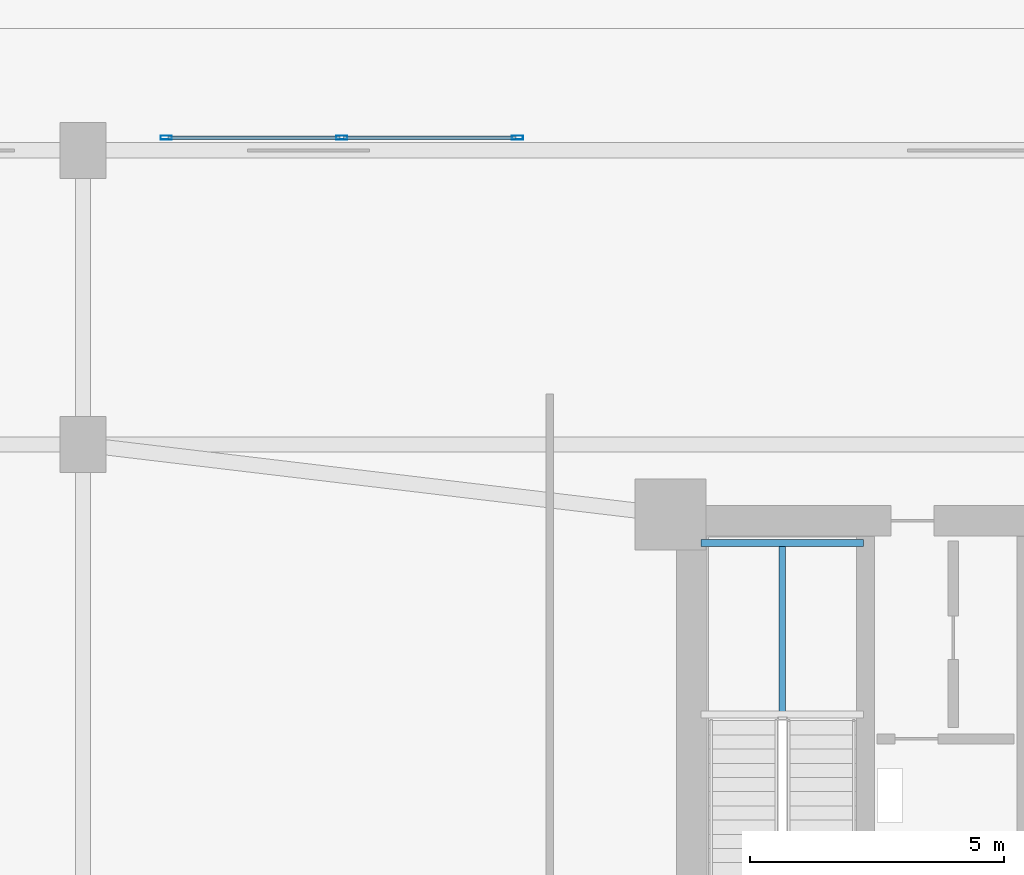
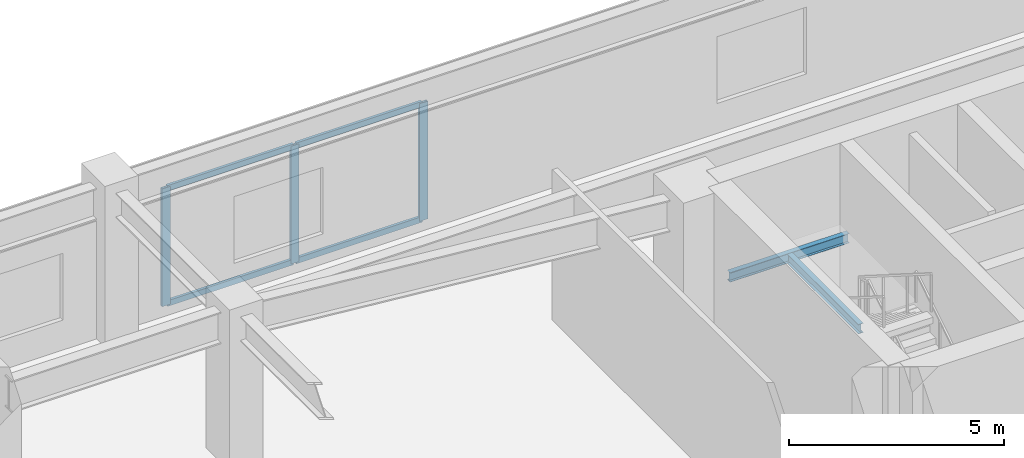
# One storey, part 2 of 10: 7 members, 2 beams, 1 element without a shape of its own.
"""IFC4 building model written with IfcOpenShell, lengths in metres."""

from ifc_helpers import new_model, si_unit, direction, frame, origin, origin_2d, place, context, subcontext, project, spatial, hollow_rectangle, i_section, extrude, material, layer, layer_set, material_profile, profile_set, type_object, element, aggregate, save


model = new_model("IFC4")

# Units and contexts
model_context = context("Model", 3, precision=1e-05, world=origin(), true_north=direction((0.0, 1.0)))
body_context = subcontext(model_context, "Body", "Model", "MODEL_VIEW")
ifc_project = project(units=[si_unit("LENGTHUNIT", "METRE"), si_unit("AREAUNIT", "SQUARE_METRE"), si_unit("VOLUMEUNIT", "CUBIC_METRE"), si_unit("PLANEANGLEUNIT", "RADIAN"), si_unit("MASSUNIT", "GRAM", prefix="KILO")], contexts=[model_context])

# Site, building, storey
site_placement = place(None, origin())
site = spatial("IfcSite", under=ifc_project, at=site_placement, CompositionType="ELEMENT")
building_placement = place(site_placement, origin())
building = spatial("IfcBuilding", under=site, at=building_placement, Name="Varnakorn Sky Granary", CompositionType="ELEMENT")
storey_placement = place(building_placement, frame((0.0, 0.0, 9.199951171875)))
storey = spatial("IfcBuildingStorey", under=building, at=storey_placement, Name="L02", CompositionType="ELEMENT", Elevation=9.199951171875)

# Beams
ifc_material_1 = material(Name="Steel S355JR", Category="steel")
ifc_material_profile_1 = material_profile(ifc_material_1, i_section(OverallWidth=0.135009765625, OverallDepth=0.27001953125, WebThickness=0.006591796875, FlangeThickness=0.01025390625, at=origin_2d()), Name="IPE 270")
ifc_profile_set_1 = profile_set([ifc_material_profile_1], Name="Steel S355JR")
beam_type = type_object("IfcBeamType", Name="BM-LND-270", PredefinedType="BEAM", material=ifc_profile_set_1)
beam_1_placement = place(storey_placement, frame((-1.820068359375, 12.06005859375, 1.965087890625), z_axis=(1.0, 0.0, 0.0), x_axis=(0.0, 1.0, 0.0)))
element("IfcBeam", 1, at=beam_1_placement, inside=storey, type_object=beam_type, Name="Stair ST-1 Landing Trimmer Beam B L02-1", PredefinedType="BEAM", context=body_context, shape_type="SweptSolid", body=[
    extrude(i_section(OverallWidth=0.135009765625, OverallDepth=0.27001953125, WebThickness=0.006591796875, FlangeThickness=0.01025390625, at=origin_2d()), origin(), (0.0, 0.0, 1.0), 3.199951171875),
])
beam_2_placement = place(storey_placement, frame((-0.219970703125, 8.679931640625, 1.965087890625), z_axis=(0.0, 1.0, 0.0), x_axis=(-1.0, 0.0, 0.0)))
element("IfcBeam", 2, at=beam_2_placement, inside=storey, type_object=beam_type, Name="Stair ST-1 Landing Cross Beam C L02-1", PredefinedType="BEAM", context=body_context, shape_type="SweptSolid", body=[
    extrude(i_section(OverallWidth=0.135009765625, OverallDepth=0.27001953125, WebThickness=0.006591796875, FlangeThickness=0.01025390625, at=origin_2d()), origin(), (0.0, 0.0, 1.0), 3.380126953125),
])

# Curtain wall, members
ifc_material_2 = material(Name="Anodised Bronze Aluminium Alloy 6063-T6", Category="aluminium")
ifc_layer = layer(ifc_material_2, 0.219970703125, Name="Anodised Bronze Aluminium Alloy 6063-T6")
ifc_layer_set = layer_set([ifc_layer], Name="Anodised Bronze Aluminium Alloy 6063-T6")
curtain_wall_type = type_object("IfcCurtainWallType", Name="CW-POD-1", PredefinedType="USERDEFINED", material=ifc_layer_set)
curtain_wall_placement = place(storey_placement, origin())
curtain_wall = element("IfcCurtainWall", 3, at=curtain_wall_placement, inside=storey, type_object=curtain_wall_type, Name="Unitised Curtain Wall CW1 CW-L02-P1", ObjectType="CURTAIN WALL", PredefinedType="USERDEFINED")
ifc_material_profile_2 = material_profile(ifc_material_2, hollow_rectangle(XDim=0.074951171875, YDim=0.219970703125, WallThickness=0.00390625, at=origin_2d()), Name="ALU MULL 75x220")
ifc_profile_set_2 = profile_set([ifc_material_profile_2], Name="Anodised Bronze Aluminium Alloy 6063-T6")
member_type_1 = type_object("IfcMemberType", Name="CW-POD-1-MULL", PredefinedType="MULLION", material=ifc_profile_set_2)
member_1_placement = place(storey_placement, frame((-12.362548828125, 20.050048828125, 0.0), z_axis=(0.0, 0.0, 1.0), x_axis=(0.0, 1.0, 0.0)))
member_1 = element("IfcMember", 4, at=member_1_placement, type_object=member_type_1, Name="CW1 mullion 1", PredefinedType="MULLION", context=body_context, shape_type="SweptSolid", body=[
    extrude(hollow_rectangle(XDim=0.074951171875, YDim=0.219970703125, WallThickness=0.00390625, at=origin_2d()), origin(), (0.0, 0.0, 1.0), 3.35009765625),
])
member_2_placement = place(storey_placement, frame((-8.89990234375, 20.050048828125, 0.0), z_axis=(0.0, 0.0, 1.0), x_axis=(0.0, 1.0, 0.0)))
member_2 = element("IfcMember", 5, at=member_2_placement, type_object=member_type_1, Name="CW1 mullion 2", PredefinedType="MULLION", context=body_context, shape_type="SweptSolid", body=[
    extrude(hollow_rectangle(XDim=0.074951171875, YDim=0.219970703125, WallThickness=0.00390625, at=origin_2d()), origin(), (0.0, 0.0, 1.0), 3.35009765625),
])
member_3_placement = place(storey_placement, frame((-5.4375, 20.050048828125, 0.0), z_axis=(0.0, 0.0, 1.0), x_axis=(0.0, 1.0, 0.0)))
member_3 = element("IfcMember", 6, at=member_3_placement, type_object=member_type_1, Name="CW1 mullion 3", PredefinedType="MULLION", context=body_context, shape_type="SweptSolid", body=[
    extrude(hollow_rectangle(XDim=0.074951171875, YDim=0.219970703125, WallThickness=0.00390625, at=origin_2d()), origin(), (0.0, 0.0, 1.0), 3.35009765625),
])
ifc_material_profile_3 = material_profile(ifc_material_2, hollow_rectangle(XDim=0.074951171875, YDim=0.159912109375, WallThickness=0.00390625, at=origin_2d()), Name="ALU TRAN 75x160")
ifc_profile_set_3 = profile_set([ifc_material_profile_3], Name="Anodised Bronze Aluminium Alloy 6063-T6")
member_type_2 = type_object("IfcMemberType", Name="CW-POD-1-TRAN", PredefinedType="USERDEFINED", material=ifc_profile_set_3)
member_4_placement = place(storey_placement, frame((-12.324951171875, 20.050048828125, 0.03759765625), z_axis=(1.0, 0.0, 0.0), x_axis=(0.0, 1.0, 0.0)))
member_4 = element("IfcMember", 7, at=member_4_placement, type_object=member_type_2, Name="CW1 transom 1.1", ObjectType="TRANSOM", PredefinedType="USERDEFINED", context=body_context, shape_type="SweptSolid", body=[
    extrude(hollow_rectangle(XDim=0.074951171875, YDim=0.159912109375, WallThickness=0.00390625, at=origin_2d()), origin(), (0.0, 0.0, 1.0), 3.387451171875),
])
member_5_placement = place(storey_placement, frame((-12.324951171875, 20.050048828125, 3.3125), z_axis=(1.0, 0.0, 0.0), x_axis=(0.0, 1.0, 0.0)))
member_5 = element("IfcMember", 8, at=member_5_placement, type_object=member_type_2, Name="CW1 transom 1.2", ObjectType="TRANSOM", PredefinedType="USERDEFINED", context=body_context, shape_type="SweptSolid", body=[
    extrude(hollow_rectangle(XDim=0.074951171875, YDim=0.159912109375, WallThickness=0.00390625, at=origin_2d()), origin(), (0.0, 0.0, 1.0), 3.387451171875),
])
member_6_placement = place(storey_placement, frame((-8.862548828125, 20.050048828125, 0.03759765625), z_axis=(1.0, 0.0, 0.0), x_axis=(0.0, 1.0, 0.0)))
member_6 = element("IfcMember", 9, at=member_6_placement, type_object=member_type_2, Name="CW1 transom 2.1", ObjectType="TRANSOM", PredefinedType="USERDEFINED", context=body_context, shape_type="SweptSolid", body=[
    extrude(hollow_rectangle(XDim=0.074951171875, YDim=0.159912109375, WallThickness=0.00390625, at=origin_2d()), origin(), (0.0, 0.0, 1.0), 3.387451171875),
])
member_7_placement = place(storey_placement, frame((-8.862548828125, 20.050048828125, 3.3125), z_axis=(1.0, 0.0, 0.0), x_axis=(0.0, 1.0, 0.0)))
member_7 = element("IfcMember", 10, at=member_7_placement, type_object=member_type_2, Name="CW1 transom 2.2", ObjectType="TRANSOM", PredefinedType="USERDEFINED", context=body_context, shape_type="SweptSolid", body=[
    extrude(hollow_rectangle(XDim=0.074951171875, YDim=0.159912109375, WallThickness=0.00390625, at=origin_2d()), origin(), (0.0, 0.0, 1.0), 3.387451171875),
])
aggregate(curtain_wall, [member_1, member_2, member_3, member_4, member_5, member_6, member_7])

save(model, "model.ifc")
